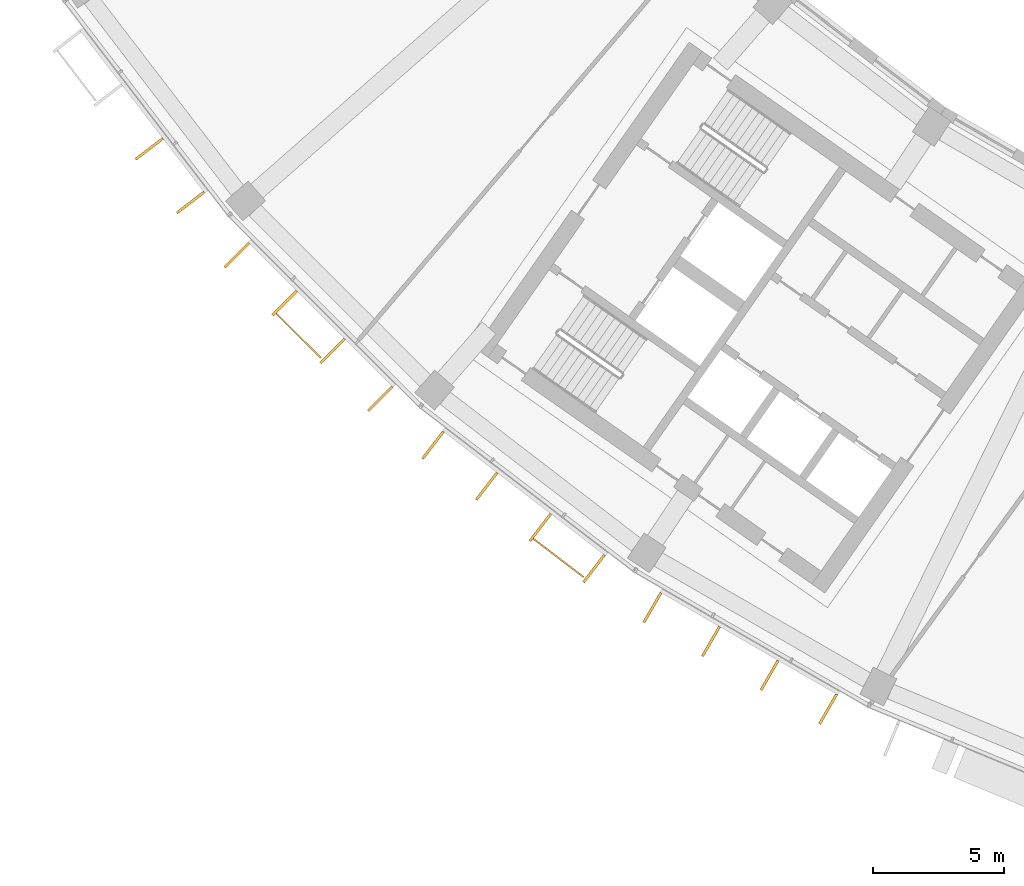
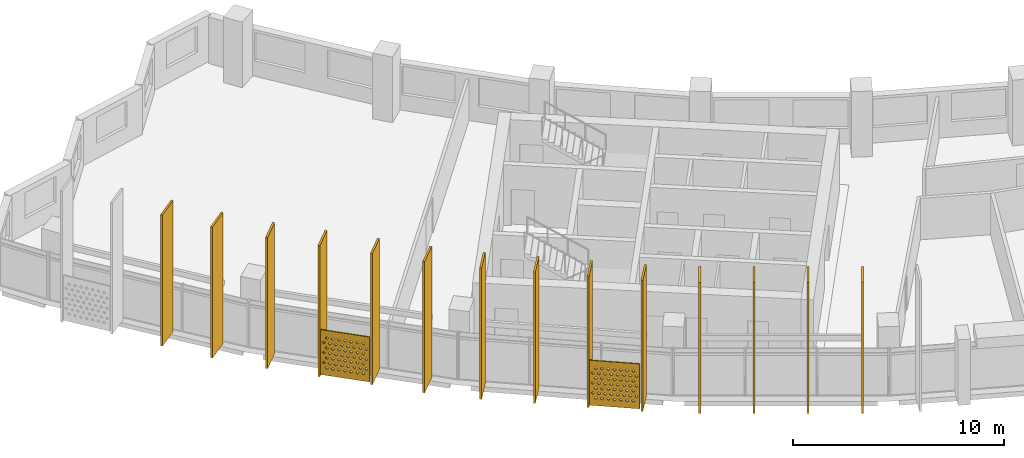
# One storey, part 23 of 28: 16 shading devices.
"""IFC4 building model written with IfcOpenShell, lengths in metres."""

import ifcopenshell
import ifcopenshell.guid

model = None  # the IFC model being written
_history = None  # IfcOwnerHistory: only IFC2X3 demands one
_inside = {}  # id of a spatial element -> (the spatial element, [elements in it])
_under = {}  # id of a project, library or spatial element -> (it, [spatial elements below it])
_declared = {}  # id of a project -> (the project, [libraries it declares])
_typed = {}  # id of a type object -> (the type object, [elements of that type])
_made_of = {}  # id of a material, layer set ... -> (it, [elements and type objects made of it])


def new_model(schema):
    """Start an empty IFC model of exactly this schema.

    Asked for "IFC4X3", IfcOpenShell would pick the latest addendum, in which some entities
    have other attributes; the version numbers below select the first issue.
    IFC2X3 requires an IfcOwnerHistory on every rooted entity: one is made here for all.
    """
    global model, _history
    if schema == "IFC4X3":
        model = ifcopenshell.file(schema_version=(4, 3, 0, 0))
    else:
        model = ifcopenshell.file(schema=schema)
    _inside.clear()
    _under.clear()
    _declared.clear()
    _typed.clear()
    _made_of.clear()
    _history = None
    if model.schema == "IFC2X3":
        org = make("IfcOrganization", Name="unknown")
        user = make(
            "IfcPersonAndOrganization",
            ThePerson=make("IfcPerson", FamilyName="unknown"),
            TheOrganization=org,
        )
        app = make(
            "IfcApplication",
            ApplicationDeveloper=org,
            Version="unknown",
            ApplicationFullName="unknown",
            ApplicationIdentifier="unknown",
        )
        _history = make(
            "IfcOwnerHistory",
            OwningUser=user,
            OwningApplication=app,
            ChangeAction="ADDED",
            CreationDate=0,
        )
    return model


def make(cls, **values):
    """One entity of the class cls with the attributes given. An attribute that is None is left unset."""
    return model.create_entity(
        cls, **{name: value for name, value in values.items() if value is not None}
    )


def rooted(cls, **values):
    """An entity with a GlobalId (a new one), such as an element, a storey or a relation."""
    return make(cls, GlobalId=ifcopenshell.guid.new(), OwnerHistory=_history, **values)


def si_unit(unit_type, name, prefix=None):
    """IfcSIUnit, for example si_unit("LENGTHUNIT", "METRE", prefix="MILLI")."""
    return make("IfcSIUnit", UnitType=unit_type, Prefix=prefix, Name=name)


def assignment(units):
    """IfcUnitAssignment: the units of a project."""
    return None if units is None else make("IfcUnitAssignment", Units=units)


def point(xyz):
    """IfcCartesianPoint."""
    return None if xyz is None else make("IfcCartesianPoint", Coordinates=xyz)


def direction(xyz):
    """IfcDirection."""
    return None if xyz is None else make("IfcDirection", DirectionRatios=xyz)


def frame(location, z_axis=None, x_axis=None):
    """IfcAxis2Placement3D, a coordinate frame: its origin and axes. An axis left out is left unset."""
    return make(
        "IfcAxis2Placement3D",
        Location=point(location),
        Axis=direction(z_axis),
        RefDirection=direction(x_axis),
    )


def frame_2d(location, x_axis=None):
    """IfcAxis2Placement2D, a coordinate frame in the plane: its origin and x axis."""
    return make(
        "IfcAxis2Placement2D", Location=point(location), RefDirection=direction(x_axis)
    )


def origin():
    """The frame at (0, 0, 0) with its axes left unset."""
    return frame((0.0, 0.0, 0.0))


def origin_2d():
    """The frame at (0, 0) in the plane with its x axis left unset."""
    return frame_2d((0.0, 0.0))


def place(relative_to, where):
    """IfcLocalPlacement: puts the frame where relative to a parent placement (None: the world)."""
    return make(
        "IfcLocalPlacement", PlacementRelTo=relative_to, RelativePlacement=where
    )


def context(
    kind, dimensions, precision=None, world=None, true_north=None, identifier=None
):
    """IfcGeometricRepresentationContext, for example the 3D "Model" context."""
    return make(
        "IfcGeometricRepresentationContext",
        ContextIdentifier=identifier,
        ContextType=kind,
        CoordinateSpaceDimension=dimensions,
        Precision=precision,
        WorldCoordinateSystem=world,
        TrueNorth=true_north,
    )


def subcontext(parent, identifier, kind, view, scale=None):
    """IfcGeometricRepresentationSubContext, for example "Body" below "Model"."""
    return make(
        "IfcGeometricRepresentationSubContext",
        ContextIdentifier=identifier,
        ContextType=kind,
        ParentContext=parent,
        TargetScale=scale,
        TargetView=view,
    )


def project(units=None, contexts=None):
    """IfcProject with its units and contexts."""
    return rooted(
        "IfcProject",
        Name="project",
        RepresentationContexts=contexts,
        UnitsInContext=assignment(units),
    )


def spatial(cls, under=None, at=None, **own):
    """A site, building, storey or space (cls), placed at a placement, below another one or the project."""
    s = rooted(cls, ObjectPlacement=at, **own)
    if under is not None:
        _under.setdefault(under.id(), (under, []))[1].append(s)
    return s


def polyline(points):
    """IfcPolyline through the points."""
    return make("IfcPolyline", Points=[point(p) for p in points])


def profile(cls, at=None, kind="AREA", **sizes):
    """A parametric profile (cls). Its sizes go by their IFC names, for example OverallWidth=200.0."""
    return make(cls, ProfileType=kind, Position=at, **sizes)


def rectangle(**sizes):
    """IfcRectangleProfileDef."""
    return profile("IfcRectangleProfileDef", **sizes)


def outline(outer, holes=None, kind="AREA"):
    """IfcArbitraryClosedProfileDef: a profile drawn as a closed curve; with holes, ...WithVoids."""
    if holes is None:
        return make("IfcArbitraryClosedProfileDef", ProfileType=kind, OuterCurve=outer)
    return make(
        "IfcArbitraryProfileDefWithVoids",
        ProfileType=kind,
        OuterCurve=outer,
        InnerCurves=holes,
    )


def extrude(swept, where, along, depth):
    """IfcExtrudedAreaSolid: the profile swept, set in the frame where, extruded along a direction by depth."""
    return make(
        "IfcExtrudedAreaSolid",
        SweptArea=swept,
        Position=where,
        ExtrudedDirection=direction(along),
        Depth=depth,
    )


def shape(context_of_items, identifier, shape_type, items):
    """IfcShapeRepresentation: the items that make up one representation, for example the "Body"."""
    return make(
        "IfcShapeRepresentation",
        ContextOfItems=context_of_items,
        RepresentationIdentifier=identifier,
        RepresentationType=shape_type,
        Items=items,
    )


def material(Name=None, Category=None):
    """IfcMaterial."""
    return make("IfcMaterial", Name=Name, Category=Category)


def material_profile(
    of_material, cross_section, Name=None, Category=None, Priority=None
):
    """IfcMaterialProfile: a cross section and its material."""
    return make(
        "IfcMaterialProfile",
        Name=Name,
        Material=of_material,
        Profile=cross_section,
        Priority=Priority,
        Category=Category,
    )


def profile_set(profiles, Name=None, composite=None):
    """IfcMaterialProfileSet."""
    return make(
        "IfcMaterialProfileSet",
        Name=Name,
        MaterialProfiles=profiles,
        CompositeProfile=composite,
    )


def made_of(thing, what):
    """Note that an element or type object is made of a material, layer set ...; save() writes the relation."""
    if what is not None:
        _made_of.setdefault(what.id(), (what, []))[1].append(thing)
    return thing


def type_object(cls, material=None, **own):
    """A type object (cls), such as IfcWallType, which elements share."""
    return made_of(rooted(cls, **own), material)


def element(
    cls,
    number,
    at=None,
    inside=None,
    cuts=None,
    type_object=None,
    material=None,
    context=None,
    identifier="Body",
    shape_type=None,
    held_by="IfcProductDefinitionShape",
    body=None,
    shapes=None,
    **own,
):
    """One element of the class cls, such as IfcWall. Its Tag is "e" and its number.

    at: its placement. inside: the storey or other place that contains it. cuts: it is an
    opening in that element (IfcRelVoidsElement). A single representation is given by context,
    identifier, shape_type and body (its items); several are given by shapes. held_by: the class
    of the entity that holds the representations. save() writes the other relations.
    """
    e = rooted(cls, Tag="e%d" % number, ObjectPlacement=at, **own)
    if body is not None:
        shapes = [shape(context, identifier, shape_type, body)]
    if shapes is not None:
        e.Representation = make(held_by, Representations=shapes)
    if inside is not None:
        _inside.setdefault(inside.id(), (inside, []))[1].append(e)
    if cuts is not None:
        rooted(
            "IfcRelVoidsElement", RelatingBuildingElement=cuts, RelatedOpeningElement=e
        )
    if type_object is not None:
        _typed.setdefault(type_object.id(), (type_object, []))[1].append(e)
    return made_of(e, material)


def aggregate(whole, parts):
    """IfcRelAggregates: a whole, such as a stair, and the parts it consists of."""
    return rooted("IfcRelAggregates", RelatingObject=whole, RelatedObjects=parts)


def save(model, path):
    """Write the relations noted so far, then the file.

    IfcRelAggregates (storeys below a building ...), IfcRelContainedInSpatialStructure (elements
    in a storey), IfcRelDefinesByType, IfcRelAssociatesMaterial and IfcRelDeclares: one each for
    every whole, place, type object, material and project.
    """
    for whole, parts in _under.values():
        aggregate(whole, parts)
    for where, things in _inside.values():
        rooted(
            "IfcRelContainedInSpatialStructure",
            RelatedElements=things,
            RelatingStructure=where,
        )
    for kind, things in _typed.values():
        rooted("IfcRelDefinesByType", RelatedObjects=things, RelatingType=kind)
    for what, things in _made_of.values():
        rooted("IfcRelAssociatesMaterial", RelatedObjects=things, RelatingMaterial=what)
    for by, libraries in _declared.values():
        rooted("IfcRelDeclares", RelatingContext=by, RelatedDefinitions=libraries)
    model.write(path)


model = new_model("IFC4")

# Units and contexts
model_context = context("Model", 3, precision=1e-05, world=origin(), true_north=direction((0.0, 1.0)))
body_context = subcontext(model_context, "Body", "Model", "MODEL_VIEW")
ifc_project = project(units=[si_unit("LENGTHUNIT", "METRE"), si_unit("AREAUNIT", "SQUARE_METRE"), si_unit("VOLUMEUNIT", "CUBIC_METRE"), si_unit("PLANEANGLEUNIT", "RADIAN"), si_unit("MASSUNIT", "GRAM", prefix="KILO")], contexts=[model_context])

# Site, building, storey
site_placement = place(None, origin())
site = spatial("IfcSite", under=ifc_project, at=site_placement, CompositionType="ELEMENT")
building_placement = place(site_placement, origin())
building = spatial("IfcBuilding", under=site, at=building_placement, Name="Qamariyya Broadcast Tower", CompositionType="ELEMENT")
storey_placement = place(building_placement, frame((0.0, 0.0, 234.10009765625)))
storey = spatial("IfcBuildingStorey", under=building, at=storey_placement, Name="L56", CompositionType="ELEMENT", Elevation=234.10009765625)

# Shading devices
ifc_material_1 = material(Name="Perforated glazed terracotta", Category="masonry")
ifc_material_profile_1 = material_profile(ifc_material_1, outline(polyline([(-1.199951171875, -1.300048828125), (1.199951171875, -1.300048828125), (1.199951171875, 1.300048828125), (-1.199951171875, 1.300048828125), (-1.199951171875, -1.300048828125)]), holes=[polyline([(-0.81494140625, -0.86669921875), (-0.89990234375, -0.78173828125), (-0.985107421875, -0.86669921875), (-0.89990234375, -0.95166015625), (-0.81494140625, -0.86669921875)]), polyline([(-0.514892578125, -0.86669921875), (-0.60009765625, -0.78173828125), (-0.68505859375, -0.86669921875), (-0.60009765625, -0.95166015625), (-0.514892578125, -0.86669921875)]), polyline([(-0.215087890625, -0.86669921875), (-0.300048828125, -0.78173828125), (-0.385009765625, -0.86669921875), (-0.300048828125, -0.95166015625), (-0.215087890625, -0.86669921875)]), polyline([(0.0849609375, -0.86669921875), (0.0, -0.78173828125), (-0.0849609375, -0.86669921875), (0.0, -0.95166015625), (0.0849609375, -0.86669921875)]), polyline([(0.385009765625, -0.86669921875), (0.300048828125, -0.78173828125), (0.215087890625, -0.86669921875), (0.300048828125, -0.95166015625), (0.385009765625, -0.86669921875)]), polyline([(0.68505859375, -0.86669921875), (0.60009765625, -0.78173828125), (0.514892578125, -0.86669921875), (0.60009765625, -0.95166015625), (0.68505859375, -0.86669921875)]), polyline([(0.985107421875, -0.86669921875), (0.89990234375, -0.78173828125), (0.81494140625, -0.86669921875), (0.89990234375, -0.95166015625), (0.985107421875, -0.86669921875)]), polyline([(-0.965087890625, -0.577880859375), (-1.050048828125, -0.49267578125), (-1.135009765625, -0.577880859375), (-1.050048828125, -0.662841796875), (-0.965087890625, -0.577880859375)]), polyline([(-0.6650390625, -0.577880859375), (-0.75, -0.49267578125), (-0.8349609375, -0.577880859375), (-0.75, -0.662841796875), (-0.6650390625, -0.577880859375)]), polyline([(-0.364990234375, -0.577880859375), (-0.449951171875, -0.49267578125), (-0.534912109375, -0.577880859375), (-0.449951171875, -0.662841796875), (-0.364990234375, -0.577880859375)]), polyline([(-0.06494140625, -0.577880859375), (-0.14990234375, -0.49267578125), (-0.235107421875, -0.577880859375), (-0.14990234375, -0.662841796875), (-0.06494140625, -0.577880859375)]), polyline([(0.235107421875, -0.577880859375), (0.14990234375, -0.49267578125), (0.06494140625, -0.577880859375), (0.14990234375, -0.662841796875), (0.235107421875, -0.577880859375)]), polyline([(0.534912109375, -0.577880859375), (0.449951171875, -0.49267578125), (0.364990234375, -0.577880859375), (0.449951171875, -0.662841796875), (0.534912109375, -0.577880859375)]), polyline([(0.8349609375, -0.577880859375), (0.75, -0.49267578125), (0.6650390625, -0.577880859375), (0.75, -0.662841796875), (0.8349609375, -0.577880859375)]), polyline([(1.135009765625, -0.577880859375), (1.050048828125, -0.49267578125), (0.965087890625, -0.577880859375), (1.050048828125, -0.662841796875), (1.135009765625, -0.577880859375)]), polyline([(-0.81494140625, -0.288818359375), (-0.89990234375, -0.203857421875), (-0.985107421875, -0.288818359375), (-0.89990234375, -0.373779296875), (-0.81494140625, -0.288818359375)]), polyline([(-0.514892578125, -0.288818359375), (-0.60009765625, -0.203857421875), (-0.68505859375, -0.288818359375), (-0.60009765625, -0.373779296875), (-0.514892578125, -0.288818359375)]), polyline([(-0.215087890625, -0.288818359375), (-0.300048828125, -0.203857421875), (-0.385009765625, -0.288818359375), (-0.300048828125, -0.373779296875), (-0.215087890625, -0.288818359375)]), polyline([(0.0849609375, -0.288818359375), (0.0, -0.203857421875), (-0.0849609375, -0.288818359375), (0.0, -0.373779296875), (0.0849609375, -0.288818359375)]), polyline([(0.385009765625, -0.288818359375), (0.300048828125, -0.203857421875), (0.215087890625, -0.288818359375), (0.300048828125, -0.373779296875), (0.385009765625, -0.288818359375)]), polyline([(0.68505859375, -0.288818359375), (0.60009765625, -0.203857421875), (0.514892578125, -0.288818359375), (0.60009765625, -0.373779296875), (0.68505859375, -0.288818359375)]), polyline([(0.985107421875, -0.288818359375), (0.89990234375, -0.203857421875), (0.81494140625, -0.288818359375), (0.89990234375, -0.373779296875), (0.985107421875, -0.288818359375)]), polyline([(-0.965087890625, 0.0), (-1.050048828125, 0.0849609375), (-1.135009765625, 0.0), (-1.050048828125, -0.0849609375), (-0.965087890625, 0.0)]), polyline([(-0.6650390625, 0.0), (-0.75, 0.0849609375), (-0.8349609375, 0.0), (-0.75, -0.0849609375), (-0.6650390625, 0.0)]), polyline([(-0.364990234375, 0.0), (-0.449951171875, 0.0849609375), (-0.534912109375, 0.0), (-0.449951171875, -0.0849609375), (-0.364990234375, 0.0)]), polyline([(-0.06494140625, 0.0), (-0.14990234375, 0.0849609375), (-0.235107421875, 0.0), (-0.14990234375, -0.0849609375), (-0.06494140625, 0.0)]), polyline([(0.235107421875, 0.0), (0.14990234375, 0.0849609375), (0.06494140625, 0.0), (0.14990234375, -0.0849609375), (0.235107421875, 0.0)]), polyline([(0.534912109375, 0.0), (0.449951171875, 0.0849609375), (0.364990234375, 0.0), (0.449951171875, -0.0849609375), (0.534912109375, 0.0)]), polyline([(0.8349609375, 0.0), (0.75, 0.0849609375), (0.6650390625, 0.0), (0.75, -0.0849609375), (0.8349609375, 0.0)]), polyline([(1.135009765625, 0.0), (1.050048828125, 0.0849609375), (0.965087890625, 0.0), (1.050048828125, -0.0849609375), (1.135009765625, 0.0)]), polyline([(-0.81494140625, 0.288818359375), (-0.89990234375, 0.373779296875), (-0.985107421875, 0.288818359375), (-0.89990234375, 0.203857421875), (-0.81494140625, 0.288818359375)]), polyline([(-0.514892578125, 0.288818359375), (-0.60009765625, 0.373779296875), (-0.68505859375, 0.288818359375), (-0.60009765625, 0.203857421875), (-0.514892578125, 0.288818359375)]), polyline([(-0.215087890625, 0.288818359375), (-0.300048828125, 0.373779296875), (-0.385009765625, 0.288818359375), (-0.300048828125, 0.203857421875), (-0.215087890625, 0.288818359375)]), polyline([(0.0849609375, 0.288818359375), (0.0, 0.373779296875), (-0.0849609375, 0.288818359375), (0.0, 0.203857421875), (0.0849609375, 0.288818359375)]), polyline([(0.385009765625, 0.288818359375), (0.300048828125, 0.373779296875), (0.215087890625, 0.288818359375), (0.300048828125, 0.203857421875), (0.385009765625, 0.288818359375)]), polyline([(0.68505859375, 0.288818359375), (0.60009765625, 0.373779296875), (0.514892578125, 0.288818359375), (0.60009765625, 0.203857421875), (0.68505859375, 0.288818359375)]), polyline([(0.985107421875, 0.288818359375), (0.89990234375, 0.373779296875), (0.81494140625, 0.288818359375), (0.89990234375, 0.203857421875), (0.985107421875, 0.288818359375)]), polyline([(-0.965087890625, 0.577880859375), (-1.050048828125, 0.662841796875), (-1.135009765625, 0.577880859375), (-1.050048828125, 0.49267578125), (-0.965087890625, 0.577880859375)]), polyline([(-0.6650390625, 0.577880859375), (-0.75, 0.662841796875), (-0.8349609375, 0.577880859375), (-0.75, 0.49267578125), (-0.6650390625, 0.577880859375)]), polyline([(-0.364990234375, 0.577880859375), (-0.449951171875, 0.662841796875), (-0.534912109375, 0.577880859375), (-0.449951171875, 0.49267578125), (-0.364990234375, 0.577880859375)]), polyline([(-0.06494140625, 0.577880859375), (-0.14990234375, 0.662841796875), (-0.235107421875, 0.577880859375), (-0.14990234375, 0.49267578125), (-0.06494140625, 0.577880859375)]), polyline([(0.235107421875, 0.577880859375), (0.14990234375, 0.662841796875), (0.06494140625, 0.577880859375), (0.14990234375, 0.49267578125), (0.235107421875, 0.577880859375)]), polyline([(0.534912109375, 0.577880859375), (0.449951171875, 0.662841796875), (0.364990234375, 0.577880859375), (0.449951171875, 0.49267578125), (0.534912109375, 0.577880859375)]), polyline([(0.8349609375, 0.577880859375), (0.75, 0.662841796875), (0.6650390625, 0.577880859375), (0.75, 0.49267578125), (0.8349609375, 0.577880859375)]), polyline([(1.135009765625, 0.577880859375), (1.050048828125, 0.662841796875), (0.965087890625, 0.577880859375), (1.050048828125, 0.49267578125), (1.135009765625, 0.577880859375)]), polyline([(-0.81494140625, 0.86669921875), (-0.89990234375, 0.95166015625), (-0.985107421875, 0.86669921875), (-0.89990234375, 0.78173828125), (-0.81494140625, 0.86669921875)]), polyline([(-0.514892578125, 0.86669921875), (-0.60009765625, 0.95166015625), (-0.68505859375, 0.86669921875), (-0.60009765625, 0.78173828125), (-0.514892578125, 0.86669921875)]), polyline([(-0.215087890625, 0.86669921875), (-0.300048828125, 0.95166015625), (-0.385009765625, 0.86669921875), (-0.300048828125, 0.78173828125), (-0.215087890625, 0.86669921875)]), polyline([(0.0849609375, 0.86669921875), (0.0, 0.95166015625), (-0.0849609375, 0.86669921875), (0.0, 0.78173828125), (0.0849609375, 0.86669921875)]), polyline([(0.385009765625, 0.86669921875), (0.300048828125, 0.95166015625), (0.215087890625, 0.86669921875), (0.300048828125, 0.78173828125), (0.385009765625, 0.86669921875)]), polyline([(0.68505859375, 0.86669921875), (0.60009765625, 0.95166015625), (0.514892578125, 0.86669921875), (0.60009765625, 0.78173828125), (0.68505859375, 0.86669921875)]), polyline([(0.985107421875, 0.86669921875), (0.89990234375, 0.95166015625), (0.81494140625, 0.86669921875), (0.89990234375, 0.78173828125), (0.985107421875, 0.86669921875)])]))
ifc_profile_set_1 = profile_set([ifc_material_profile_1], Name="Perforated glazed terracotta")
shading_device_type_1 = type_object("IfcShadingDeviceType", Name="Perforated terracotta screen 2400 x 2600", PredefinedType="USERDEFINED", material=ifc_profile_set_1)
shading_device_1_placement = place(storey_placement, frame((-56.41845703125, -56.367431640625, 1.349853515625), z_axis=(-0.705066081692, -0.709141608176, 0.0), x_axis=(0.709141608176, -0.705066081692, 0.0)))
element("IfcShadingDevice", 1, at=shading_device_1_placement, inside=storey, type_object=shading_device_type_1, Name="e-scr-L56-02-1", ObjectType="SCREEN", PredefinedType="USERDEFINED", context=body_context, shape_type="SweptSolid", body=[
    extrude(outline(polyline([(-1.199951171875, -1.300048828125), (1.199951171875, -1.300048828125), (1.199951171875, 1.300048828125), (-1.199951171875, 1.300048828125), (-1.199951171875, -1.300048828125)]), holes=[polyline([(-0.81494140625, -0.86669921875), (-0.89990234375, -0.78173828125), (-0.985107421875, -0.86669921875), (-0.89990234375, -0.95166015625), (-0.81494140625, -0.86669921875)]), polyline([(-0.514892578125, -0.86669921875), (-0.60009765625, -0.78173828125), (-0.68505859375, -0.86669921875), (-0.60009765625, -0.95166015625), (-0.514892578125, -0.86669921875)]), polyline([(-0.215087890625, -0.86669921875), (-0.300048828125, -0.78173828125), (-0.385009765625, -0.86669921875), (-0.300048828125, -0.95166015625), (-0.215087890625, -0.86669921875)]), polyline([(0.0849609375, -0.86669921875), (0.0, -0.78173828125), (-0.0849609375, -0.86669921875), (0.0, -0.95166015625), (0.0849609375, -0.86669921875)]), polyline([(0.385009765625, -0.86669921875), (0.300048828125, -0.78173828125), (0.215087890625, -0.86669921875), (0.300048828125, -0.95166015625), (0.385009765625, -0.86669921875)]), polyline([(0.68505859375, -0.86669921875), (0.60009765625, -0.78173828125), (0.514892578125, -0.86669921875), (0.60009765625, -0.95166015625), (0.68505859375, -0.86669921875)]), polyline([(0.985107421875, -0.86669921875), (0.89990234375, -0.78173828125), (0.81494140625, -0.86669921875), (0.89990234375, -0.95166015625), (0.985107421875, -0.86669921875)]), polyline([(-0.965087890625, -0.577880859375), (-1.050048828125, -0.49267578125), (-1.135009765625, -0.577880859375), (-1.050048828125, -0.662841796875), (-0.965087890625, -0.577880859375)]), polyline([(-0.6650390625, -0.577880859375), (-0.75, -0.49267578125), (-0.8349609375, -0.577880859375), (-0.75, -0.662841796875), (-0.6650390625, -0.577880859375)]), polyline([(-0.364990234375, -0.577880859375), (-0.449951171875, -0.49267578125), (-0.534912109375, -0.577880859375), (-0.449951171875, -0.662841796875), (-0.364990234375, -0.577880859375)]), polyline([(-0.06494140625, -0.577880859375), (-0.14990234375, -0.49267578125), (-0.235107421875, -0.577880859375), (-0.14990234375, -0.662841796875), (-0.06494140625, -0.577880859375)]), polyline([(0.235107421875, -0.577880859375), (0.14990234375, -0.49267578125), (0.06494140625, -0.577880859375), (0.14990234375, -0.662841796875), (0.235107421875, -0.577880859375)]), polyline([(0.534912109375, -0.577880859375), (0.449951171875, -0.49267578125), (0.364990234375, -0.577880859375), (0.449951171875, -0.662841796875), (0.534912109375, -0.577880859375)]), polyline([(0.8349609375, -0.577880859375), (0.75, -0.49267578125), (0.6650390625, -0.577880859375), (0.75, -0.662841796875), (0.8349609375, -0.577880859375)]), polyline([(1.135009765625, -0.577880859375), (1.050048828125, -0.49267578125), (0.965087890625, -0.577880859375), (1.050048828125, -0.662841796875), (1.135009765625, -0.577880859375)]), polyline([(-0.81494140625, -0.288818359375), (-0.89990234375, -0.203857421875), (-0.985107421875, -0.288818359375), (-0.89990234375, -0.373779296875), (-0.81494140625, -0.288818359375)]), polyline([(-0.514892578125, -0.288818359375), (-0.60009765625, -0.203857421875), (-0.68505859375, -0.288818359375), (-0.60009765625, -0.373779296875), (-0.514892578125, -0.288818359375)]), polyline([(-0.215087890625, -0.288818359375), (-0.300048828125, -0.203857421875), (-0.385009765625, -0.288818359375), (-0.300048828125, -0.373779296875), (-0.215087890625, -0.288818359375)]), polyline([(0.0849609375, -0.288818359375), (0.0, -0.203857421875), (-0.0849609375, -0.288818359375), (0.0, -0.373779296875), (0.0849609375, -0.288818359375)]), polyline([(0.385009765625, -0.288818359375), (0.300048828125, -0.203857421875), (0.215087890625, -0.288818359375), (0.300048828125, -0.373779296875), (0.385009765625, -0.288818359375)]), polyline([(0.68505859375, -0.288818359375), (0.60009765625, -0.203857421875), (0.514892578125, -0.288818359375), (0.60009765625, -0.373779296875), (0.68505859375, -0.288818359375)]), polyline([(0.985107421875, -0.288818359375), (0.89990234375, -0.203857421875), (0.81494140625, -0.288818359375), (0.89990234375, -0.373779296875), (0.985107421875, -0.288818359375)]), polyline([(-0.965087890625, 0.0), (-1.050048828125, 0.0849609375), (-1.135009765625, 0.0), (-1.050048828125, -0.0849609375), (-0.965087890625, 0.0)]), polyline([(-0.6650390625, 0.0), (-0.75, 0.0849609375), (-0.8349609375, 0.0), (-0.75, -0.0849609375), (-0.6650390625, 0.0)]), polyline([(-0.364990234375, 0.0), (-0.449951171875, 0.0849609375), (-0.534912109375, 0.0), (-0.449951171875, -0.0849609375), (-0.364990234375, 0.0)]), polyline([(-0.06494140625, 0.0), (-0.14990234375, 0.0849609375), (-0.235107421875, 0.0), (-0.14990234375, -0.0849609375), (-0.06494140625, 0.0)]), polyline([(0.235107421875, 0.0), (0.14990234375, 0.0849609375), (0.06494140625, 0.0), (0.14990234375, -0.0849609375), (0.235107421875, 0.0)]), polyline([(0.534912109375, 0.0), (0.449951171875, 0.0849609375), (0.364990234375, 0.0), (0.449951171875, -0.0849609375), (0.534912109375, 0.0)]), polyline([(0.8349609375, 0.0), (0.75, 0.0849609375), (0.6650390625, 0.0), (0.75, -0.0849609375), (0.8349609375, 0.0)]), polyline([(1.135009765625, 0.0), (1.050048828125, 0.0849609375), (0.965087890625, 0.0), (1.050048828125, -0.0849609375), (1.135009765625, 0.0)]), polyline([(-0.81494140625, 0.288818359375), (-0.89990234375, 0.373779296875), (-0.985107421875, 0.288818359375), (-0.89990234375, 0.203857421875), (-0.81494140625, 0.288818359375)]), polyline([(-0.514892578125, 0.288818359375), (-0.60009765625, 0.373779296875), (-0.68505859375, 0.288818359375), (-0.60009765625, 0.203857421875), (-0.514892578125, 0.288818359375)]), polyline([(-0.215087890625, 0.288818359375), (-0.300048828125, 0.373779296875), (-0.385009765625, 0.288818359375), (-0.300048828125, 0.203857421875), (-0.215087890625, 0.288818359375)]), polyline([(0.0849609375, 0.288818359375), (0.0, 0.373779296875), (-0.0849609375, 0.288818359375), (0.0, 0.203857421875), (0.0849609375, 0.288818359375)]), polyline([(0.385009765625, 0.288818359375), (0.300048828125, 0.373779296875), (0.215087890625, 0.288818359375), (0.300048828125, 0.203857421875), (0.385009765625, 0.288818359375)]), polyline([(0.68505859375, 0.288818359375), (0.60009765625, 0.373779296875), (0.514892578125, 0.288818359375), (0.60009765625, 0.203857421875), (0.68505859375, 0.288818359375)]), polyline([(0.985107421875, 0.288818359375), (0.89990234375, 0.373779296875), (0.81494140625, 0.288818359375), (0.89990234375, 0.203857421875), (0.985107421875, 0.288818359375)]), polyline([(-0.965087890625, 0.577880859375), (-1.050048828125, 0.662841796875), (-1.135009765625, 0.577880859375), (-1.050048828125, 0.49267578125), (-0.965087890625, 0.577880859375)]), polyline([(-0.6650390625, 0.577880859375), (-0.75, 0.662841796875), (-0.8349609375, 0.577880859375), (-0.75, 0.49267578125), (-0.6650390625, 0.577880859375)]), polyline([(-0.364990234375, 0.577880859375), (-0.449951171875, 0.662841796875), (-0.534912109375, 0.577880859375), (-0.449951171875, 0.49267578125), (-0.364990234375, 0.577880859375)]), polyline([(-0.06494140625, 0.577880859375), (-0.14990234375, 0.662841796875), (-0.235107421875, 0.577880859375), (-0.14990234375, 0.49267578125), (-0.06494140625, 0.577880859375)]), polyline([(0.235107421875, 0.577880859375), (0.14990234375, 0.662841796875), (0.06494140625, 0.577880859375), (0.14990234375, 0.49267578125), (0.235107421875, 0.577880859375)]), polyline([(0.534912109375, 0.577880859375), (0.449951171875, 0.662841796875), (0.364990234375, 0.577880859375), (0.449951171875, 0.49267578125), (0.534912109375, 0.577880859375)]), polyline([(0.8349609375, 0.577880859375), (0.75, 0.662841796875), (0.6650390625, 0.577880859375), (0.75, 0.49267578125), (0.8349609375, 0.577880859375)]), polyline([(1.135009765625, 0.577880859375), (1.050048828125, 0.662841796875), (0.965087890625, 0.577880859375), (1.050048828125, 0.49267578125), (1.135009765625, 0.577880859375)]), polyline([(-0.81494140625, 0.86669921875), (-0.89990234375, 0.95166015625), (-0.985107421875, 0.86669921875), (-0.89990234375, 0.78173828125), (-0.81494140625, 0.86669921875)]), polyline([(-0.514892578125, 0.86669921875), (-0.60009765625, 0.95166015625), (-0.68505859375, 0.86669921875), (-0.60009765625, 0.78173828125), (-0.514892578125, 0.86669921875)]), polyline([(-0.215087890625, 0.86669921875), (-0.300048828125, 0.95166015625), (-0.385009765625, 0.86669921875), (-0.300048828125, 0.78173828125), (-0.215087890625, 0.86669921875)]), polyline([(0.0849609375, 0.86669921875), (0.0, 0.95166015625), (-0.0849609375, 0.86669921875), (0.0, 0.78173828125), (0.0849609375, 0.86669921875)]), polyline([(0.385009765625, 0.86669921875), (0.300048828125, 0.95166015625), (0.215087890625, 0.86669921875), (0.300048828125, 0.78173828125), (0.385009765625, 0.86669921875)]), polyline([(0.68505859375, 0.86669921875), (0.60009765625, 0.95166015625), (0.514892578125, 0.86669921875), (0.60009765625, 0.78173828125), (0.68505859375, 0.86669921875)]), polyline([(0.985107421875, 0.86669921875), (0.89990234375, 0.95166015625), (0.81494140625, 0.86669921875), (0.89990234375, 0.78173828125), (0.985107421875, 0.86669921875)])]), origin(), (0.0, 0.0, 1.0), 0.059814453125),
])
shading_device_2_placement = place(storey_placement, frame((-46.537841796875, -64.81494140625, 1.349853515625), z_axis=(-0.607147566278, -0.794589096806, 0.0), x_axis=(0.794589096806, -0.607147566278, 0.0)))
element("IfcShadingDevice", 2, at=shading_device_2_placement, inside=storey, type_object=shading_device_type_1, Name="e-scr-L56-03-2", ObjectType="SCREEN", PredefinedType="USERDEFINED", context=body_context, shape_type="SweptSolid", body=[
    extrude(outline(polyline([(-1.199951171875, -1.300048828125), (1.199951171875, -1.300048828125), (1.199951171875, 1.300048828125), (-1.199951171875, 1.300048828125), (-1.199951171875, -1.300048828125)]), holes=[polyline([(-0.81494140625, -0.86669921875), (-0.89990234375, -0.78173828125), (-0.985107421875, -0.86669921875), (-0.89990234375, -0.95166015625), (-0.81494140625, -0.86669921875)]), polyline([(-0.514892578125, -0.86669921875), (-0.60009765625, -0.78173828125), (-0.68505859375, -0.86669921875), (-0.60009765625, -0.95166015625), (-0.514892578125, -0.86669921875)]), polyline([(-0.215087890625, -0.86669921875), (-0.300048828125, -0.78173828125), (-0.385009765625, -0.86669921875), (-0.300048828125, -0.95166015625), (-0.215087890625, -0.86669921875)]), polyline([(0.0849609375, -0.86669921875), (0.0, -0.78173828125), (-0.0849609375, -0.86669921875), (0.0, -0.95166015625), (0.0849609375, -0.86669921875)]), polyline([(0.385009765625, -0.86669921875), (0.300048828125, -0.78173828125), (0.215087890625, -0.86669921875), (0.300048828125, -0.95166015625), (0.385009765625, -0.86669921875)]), polyline([(0.68505859375, -0.86669921875), (0.60009765625, -0.78173828125), (0.514892578125, -0.86669921875), (0.60009765625, -0.95166015625), (0.68505859375, -0.86669921875)]), polyline([(0.985107421875, -0.86669921875), (0.89990234375, -0.78173828125), (0.81494140625, -0.86669921875), (0.89990234375, -0.95166015625), (0.985107421875, -0.86669921875)]), polyline([(-0.965087890625, -0.577880859375), (-1.050048828125, -0.49267578125), (-1.135009765625, -0.577880859375), (-1.050048828125, -0.662841796875), (-0.965087890625, -0.577880859375)]), polyline([(-0.6650390625, -0.577880859375), (-0.75, -0.49267578125), (-0.8349609375, -0.577880859375), (-0.75, -0.662841796875), (-0.6650390625, -0.577880859375)]), polyline([(-0.364990234375, -0.577880859375), (-0.449951171875, -0.49267578125), (-0.534912109375, -0.577880859375), (-0.449951171875, -0.662841796875), (-0.364990234375, -0.577880859375)]), polyline([(-0.06494140625, -0.577880859375), (-0.14990234375, -0.49267578125), (-0.235107421875, -0.577880859375), (-0.14990234375, -0.662841796875), (-0.06494140625, -0.577880859375)]), polyline([(0.235107421875, -0.577880859375), (0.14990234375, -0.49267578125), (0.06494140625, -0.577880859375), (0.14990234375, -0.662841796875), (0.235107421875, -0.577880859375)]), polyline([(0.534912109375, -0.577880859375), (0.449951171875, -0.49267578125), (0.364990234375, -0.577880859375), (0.449951171875, -0.662841796875), (0.534912109375, -0.577880859375)]), polyline([(0.8349609375, -0.577880859375), (0.75, -0.49267578125), (0.6650390625, -0.577880859375), (0.75, -0.662841796875), (0.8349609375, -0.577880859375)]), polyline([(1.135009765625, -0.577880859375), (1.050048828125, -0.49267578125), (0.965087890625, -0.577880859375), (1.050048828125, -0.662841796875), (1.135009765625, -0.577880859375)]), polyline([(-0.81494140625, -0.288818359375), (-0.89990234375, -0.203857421875), (-0.985107421875, -0.288818359375), (-0.89990234375, -0.373779296875), (-0.81494140625, -0.288818359375)]), polyline([(-0.514892578125, -0.288818359375), (-0.60009765625, -0.203857421875), (-0.68505859375, -0.288818359375), (-0.60009765625, -0.373779296875), (-0.514892578125, -0.288818359375)]), polyline([(-0.215087890625, -0.288818359375), (-0.300048828125, -0.203857421875), (-0.385009765625, -0.288818359375), (-0.300048828125, -0.373779296875), (-0.215087890625, -0.288818359375)]), polyline([(0.0849609375, -0.288818359375), (0.0, -0.203857421875), (-0.0849609375, -0.288818359375), (0.0, -0.373779296875), (0.0849609375, -0.288818359375)]), polyline([(0.385009765625, -0.288818359375), (0.300048828125, -0.203857421875), (0.215087890625, -0.288818359375), (0.300048828125, -0.373779296875), (0.385009765625, -0.288818359375)]), polyline([(0.68505859375, -0.288818359375), (0.60009765625, -0.203857421875), (0.514892578125, -0.288818359375), (0.60009765625, -0.373779296875), (0.68505859375, -0.288818359375)]), polyline([(0.985107421875, -0.288818359375), (0.89990234375, -0.203857421875), (0.81494140625, -0.288818359375), (0.89990234375, -0.373779296875), (0.985107421875, -0.288818359375)]), polyline([(-0.965087890625, 0.0), (-1.050048828125, 0.0849609375), (-1.135009765625, 0.0), (-1.050048828125, -0.0849609375), (-0.965087890625, 0.0)]), polyline([(-0.6650390625, 0.0), (-0.75, 0.0849609375), (-0.8349609375, 0.0), (-0.75, -0.0849609375), (-0.6650390625, 0.0)]), polyline([(-0.364990234375, 0.0), (-0.449951171875, 0.0849609375), (-0.534912109375, 0.0), (-0.449951171875, -0.0849609375), (-0.364990234375, 0.0)]), polyline([(-0.06494140625, 0.0), (-0.14990234375, 0.0849609375), (-0.235107421875, 0.0), (-0.14990234375, -0.0849609375), (-0.06494140625, 0.0)]), polyline([(0.235107421875, 0.0), (0.14990234375, 0.0849609375), (0.06494140625, 0.0), (0.14990234375, -0.0849609375), (0.235107421875, 0.0)]), polyline([(0.534912109375, 0.0), (0.449951171875, 0.0849609375), (0.364990234375, 0.0), (0.449951171875, -0.0849609375), (0.534912109375, 0.0)]), polyline([(0.8349609375, 0.0), (0.75, 0.0849609375), (0.6650390625, 0.0), (0.75, -0.0849609375), (0.8349609375, 0.0)]), polyline([(1.135009765625, 0.0), (1.050048828125, 0.0849609375), (0.965087890625, 0.0), (1.050048828125, -0.0849609375), (1.135009765625, 0.0)]), polyline([(-0.81494140625, 0.288818359375), (-0.89990234375, 0.373779296875), (-0.985107421875, 0.288818359375), (-0.89990234375, 0.203857421875), (-0.81494140625, 0.288818359375)]), polyline([(-0.514892578125, 0.288818359375), (-0.60009765625, 0.373779296875), (-0.68505859375, 0.288818359375), (-0.60009765625, 0.203857421875), (-0.514892578125, 0.288818359375)]), polyline([(-0.215087890625, 0.288818359375), (-0.300048828125, 0.373779296875), (-0.385009765625, 0.288818359375), (-0.300048828125, 0.203857421875), (-0.215087890625, 0.288818359375)]), polyline([(0.0849609375, 0.288818359375), (0.0, 0.373779296875), (-0.0849609375, 0.288818359375), (0.0, 0.203857421875), (0.0849609375, 0.288818359375)]), polyline([(0.385009765625, 0.288818359375), (0.300048828125, 0.373779296875), (0.215087890625, 0.288818359375), (0.300048828125, 0.203857421875), (0.385009765625, 0.288818359375)]), polyline([(0.68505859375, 0.288818359375), (0.60009765625, 0.373779296875), (0.514892578125, 0.288818359375), (0.60009765625, 0.203857421875), (0.68505859375, 0.288818359375)]), polyline([(0.985107421875, 0.288818359375), (0.89990234375, 0.373779296875), (0.81494140625, 0.288818359375), (0.89990234375, 0.203857421875), (0.985107421875, 0.288818359375)]), polyline([(-0.965087890625, 0.577880859375), (-1.050048828125, 0.662841796875), (-1.135009765625, 0.577880859375), (-1.050048828125, 0.49267578125), (-0.965087890625, 0.577880859375)]), polyline([(-0.6650390625, 0.577880859375), (-0.75, 0.662841796875), (-0.8349609375, 0.577880859375), (-0.75, 0.49267578125), (-0.6650390625, 0.577880859375)]), polyline([(-0.364990234375, 0.577880859375), (-0.449951171875, 0.662841796875), (-0.534912109375, 0.577880859375), (-0.449951171875, 0.49267578125), (-0.364990234375, 0.577880859375)]), polyline([(-0.06494140625, 0.577880859375), (-0.14990234375, 0.662841796875), (-0.235107421875, 0.577880859375), (-0.14990234375, 0.49267578125), (-0.06494140625, 0.577880859375)]), polyline([(0.235107421875, 0.577880859375), (0.14990234375, 0.662841796875), (0.06494140625, 0.577880859375), (0.14990234375, 0.49267578125), (0.235107421875, 0.577880859375)]), polyline([(0.534912109375, 0.577880859375), (0.449951171875, 0.662841796875), (0.364990234375, 0.577880859375), (0.449951171875, 0.49267578125), (0.534912109375, 0.577880859375)]), polyline([(0.8349609375, 0.577880859375), (0.75, 0.662841796875), (0.6650390625, 0.577880859375), (0.75, 0.49267578125), (0.8349609375, 0.577880859375)]), polyline([(1.135009765625, 0.577880859375), (1.050048828125, 0.662841796875), (0.965087890625, 0.577880859375), (1.050048828125, 0.49267578125), (1.135009765625, 0.577880859375)]), polyline([(-0.81494140625, 0.86669921875), (-0.89990234375, 0.95166015625), (-0.985107421875, 0.86669921875), (-0.89990234375, 0.78173828125), (-0.81494140625, 0.86669921875)]), polyline([(-0.514892578125, 0.86669921875), (-0.60009765625, 0.95166015625), (-0.68505859375, 0.86669921875), (-0.60009765625, 0.78173828125), (-0.514892578125, 0.86669921875)]), polyline([(-0.215087890625, 0.86669921875), (-0.300048828125, 0.95166015625), (-0.385009765625, 0.86669921875), (-0.300048828125, 0.78173828125), (-0.215087890625, 0.86669921875)]), polyline([(0.0849609375, 0.86669921875), (0.0, 0.95166015625), (-0.0849609375, 0.86669921875), (0.0, 0.78173828125), (0.0849609375, 0.86669921875)]), polyline([(0.385009765625, 0.86669921875), (0.300048828125, 0.95166015625), (0.215087890625, 0.86669921875), (0.300048828125, 0.78173828125), (0.385009765625, 0.86669921875)]), polyline([(0.68505859375, 0.86669921875), (0.60009765625, 0.95166015625), (0.514892578125, 0.86669921875), (0.60009765625, 0.78173828125), (0.68505859375, 0.86669921875)]), polyline([(0.985107421875, 0.86669921875), (0.89990234375, 0.95166015625), (0.81494140625, 0.86669921875), (0.89990234375, 0.78173828125), (0.985107421875, 0.86669921875)])]), origin(), (0.0, 0.0, 1.0), 0.059814453125),
])
ifc_material_2 = material(Name="Glazed terracotta", Category="masonry")
ifc_material_profile_2 = material_profile(ifc_material_2, rectangle(XDim=1.300048828125, YDim=0.10009765625, at=origin_2d()))
ifc_profile_set_2 = profile_set([ifc_material_profile_2], Name="Glazed terracotta")
shading_device_type_2 = type_object("IfcShadingDeviceType", Name="Terracotta fin 100 x 1300", PredefinedType="USERDEFINED", material=ifc_profile_set_2)
for number, where, z_axis, x_axis, name in (
    (3, (-62.115478515625, -49.283935546875, 0.0), (0.0, 0.0, 1.0), (-0.793353340291, -0.608761429009, 0.0), "e-fin-L56-01-2"),
    (4, (-60.5498046875, -51.32421875, 0.0), (0.0, 0.0, 1.0), (-0.793353340291, -0.608761429009, 0.0), "e-fin-L56-01-3"),
    (5, (-58.78857421875, -53.33251953125, 0.0), (0.0, 0.0, 1.0), (-0.707106781187, -0.707106781187, 0.0), "e-fin-L56-02-0"),
    (6, (-56.969970703125, -55.151123046875, 0.0), (0.0, 0.0, 1.0), (-0.707106781187, -0.707106781187, 0.0), "e-fin-L56-02-1"),
    (7, (-55.151123046875, -56.969970703125, 0.0), (0.0, 0.0, 1.0), (-0.707106781187, -0.707106781187, 0.0), "e-fin-L56-02-2"),
    (8, (-53.33251953125, -58.78857421875, 0.0), (0.0, 0.0, 1.0), (-0.707106781187, -0.707106781187, 0.0), "e-fin-L56-02-3"),
    (9, (-51.32421875, -60.5498046875, 0.0), (0.0, 0.0, 1.0), (-0.608761429009, -0.793353340291, 0.0), "e-fin-L56-03-0"),
    (10, (-49.283935546875, -62.115478515625, 0.0), (0.0, 0.0, 1.0), (-0.608761429009, -0.793353340291, 0.0), "e-fin-L56-03-1"),
    (11, (-47.243408203125, -63.68115234375, 0.0), (0.0, 0.0, 1.0), (-0.608761429009, -0.793353340291, 0.0), "e-fin-L56-03-2"),
    (12, (-45.202880859375, -65.246826171875, 0.0), (0.0, 0.0, 1.0), (-0.608761429009, -0.793353340291, 0.0), "e-fin-L56-03-3"),
    (13, (-42.98193359375, -66.73095703125, 0.0), (0.0, 0.0, 1.0), (-0.5, -0.866025403784, 0.0), "e-fin-L56-04-0"),
    (14, (-40.75439453125, -68.016845703125, 0.0), (0.0, 0.0, 1.0), (-0.5, -0.866025403784, 0.0), "e-fin-L56-04-1"),
    (15, (-38.527099609375, -69.302978515625, 0.0), (0.0, 0.0, 1.0), (-0.5, -0.866025403784, 0.0), "e-fin-L56-04-2"),
    (16, (-36.2998046875, -70.5888671875, 0.0), (0.0, 0.0, 1.0), (-0.5, -0.866025403784, 0.0), "e-fin-L56-04-3"),
):
    element("IfcShadingDevice", number, at=place(storey_placement, frame(where, z_axis=z_axis, x_axis=x_axis)), inside=storey, type_object=shading_device_type_2, Name=name, ObjectType="FIN", PredefinedType="USERDEFINED", context=body_context, shape_type="SweptSolid", body=[
        extrude(rectangle(XDim=1.300048828125, YDim=0.10009765625, at=origin_2d()), origin(), (0.0, 0.0, 1.0), 7.599853515625),
    ])

save(model, "model.ifc")
